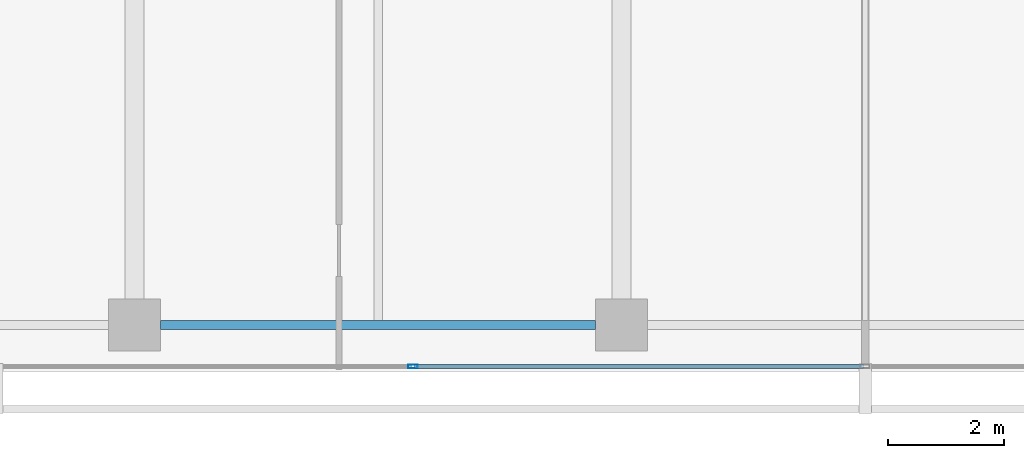
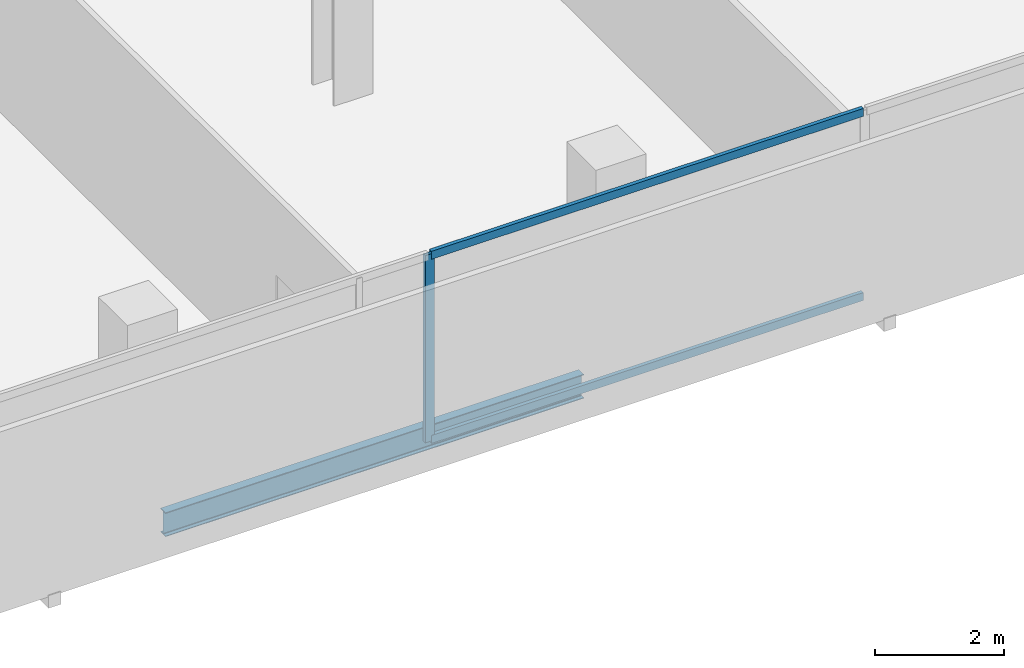
# One storey, part 7 of 39: 3 members, 1 beam, 1 element without a shape of its own.
"""IFC4 building model written with IfcOpenShell, lengths in metres."""

import ifcopenshell
import ifcopenshell.guid

model = None  # the IFC model being written
_history = None  # IfcOwnerHistory: only IFC2X3 demands one
_inside = {}  # id of a spatial element -> (the spatial element, [elements in it])
_under = {}  # id of a project, library or spatial element -> (it, [spatial elements below it])
_declared = {}  # id of a project -> (the project, [libraries it declares])
_typed = {}  # id of a type object -> (the type object, [elements of that type])
_made_of = {}  # id of a material, layer set ... -> (it, [elements and type objects made of it])


def new_model(schema):
    """Start an empty IFC model of exactly this schema.

    Asked for "IFC4X3", IfcOpenShell would pick the latest addendum, in which some entities
    have other attributes; the version numbers below select the first issue.
    IFC2X3 requires an IfcOwnerHistory on every rooted entity: one is made here for all.
    """
    global model, _history
    if schema == "IFC4X3":
        model = ifcopenshell.file(schema_version=(4, 3, 0, 0))
    else:
        model = ifcopenshell.file(schema=schema)
    _inside.clear()
    _under.clear()
    _declared.clear()
    _typed.clear()
    _made_of.clear()
    _history = None
    if model.schema == "IFC2X3":
        org = make("IfcOrganization", Name="unknown")
        user = make(
            "IfcPersonAndOrganization",
            ThePerson=make("IfcPerson", FamilyName="unknown"),
            TheOrganization=org,
        )
        app = make(
            "IfcApplication",
            ApplicationDeveloper=org,
            Version="unknown",
            ApplicationFullName="unknown",
            ApplicationIdentifier="unknown",
        )
        _history = make(
            "IfcOwnerHistory",
            OwningUser=user,
            OwningApplication=app,
            ChangeAction="ADDED",
            CreationDate=0,
        )
    return model


def make(cls, **values):
    """One entity of the class cls with the attributes given. An attribute that is None is left unset."""
    return model.create_entity(
        cls, **{name: value for name, value in values.items() if value is not None}
    )


def rooted(cls, **values):
    """An entity with a GlobalId (a new one), such as an element, a storey or a relation."""
    return make(cls, GlobalId=ifcopenshell.guid.new(), OwnerHistory=_history, **values)


def si_unit(unit_type, name, prefix=None):
    """IfcSIUnit, for example si_unit("LENGTHUNIT", "METRE", prefix="MILLI")."""
    return make("IfcSIUnit", UnitType=unit_type, Prefix=prefix, Name=name)


def assignment(units):
    """IfcUnitAssignment: the units of a project."""
    return None if units is None else make("IfcUnitAssignment", Units=units)


def point(xyz):
    """IfcCartesianPoint."""
    return None if xyz is None else make("IfcCartesianPoint", Coordinates=xyz)


def direction(xyz):
    """IfcDirection."""
    return None if xyz is None else make("IfcDirection", DirectionRatios=xyz)


def frame(location, z_axis=None, x_axis=None):
    """IfcAxis2Placement3D, a coordinate frame: its origin and axes. An axis left out is left unset."""
    return make(
        "IfcAxis2Placement3D",
        Location=point(location),
        Axis=direction(z_axis),
        RefDirection=direction(x_axis),
    )


def frame_2d(location, x_axis=None):
    """IfcAxis2Placement2D, a coordinate frame in the plane: its origin and x axis."""
    return make(
        "IfcAxis2Placement2D", Location=point(location), RefDirection=direction(x_axis)
    )


def origin():
    """The frame at (0, 0, 0) with its axes left unset."""
    return frame((0.0, 0.0, 0.0))


def origin_2d():
    """The frame at (0, 0) in the plane with its x axis left unset."""
    return frame_2d((0.0, 0.0))


def place(relative_to, where):
    """IfcLocalPlacement: puts the frame where relative to a parent placement (None: the world)."""
    return make(
        "IfcLocalPlacement", PlacementRelTo=relative_to, RelativePlacement=where
    )


def context(
    kind, dimensions, precision=None, world=None, true_north=None, identifier=None
):
    """IfcGeometricRepresentationContext, for example the 3D "Model" context."""
    return make(
        "IfcGeometricRepresentationContext",
        ContextIdentifier=identifier,
        ContextType=kind,
        CoordinateSpaceDimension=dimensions,
        Precision=precision,
        WorldCoordinateSystem=world,
        TrueNorth=true_north,
    )


def subcontext(parent, identifier, kind, view, scale=None):
    """IfcGeometricRepresentationSubContext, for example "Body" below "Model"."""
    return make(
        "IfcGeometricRepresentationSubContext",
        ContextIdentifier=identifier,
        ContextType=kind,
        ParentContext=parent,
        TargetScale=scale,
        TargetView=view,
    )


def project(units=None, contexts=None):
    """IfcProject with its units and contexts."""
    return rooted(
        "IfcProject",
        Name="project",
        RepresentationContexts=contexts,
        UnitsInContext=assignment(units),
    )


def spatial(cls, under=None, at=None, **own):
    """A site, building, storey or space (cls), placed at a placement, below another one or the project."""
    s = rooted(cls, ObjectPlacement=at, **own)
    if under is not None:
        _under.setdefault(under.id(), (under, []))[1].append(s)
    return s


def profile(cls, at=None, kind="AREA", **sizes):
    """A parametric profile (cls). Its sizes go by their IFC names, for example OverallWidth=200.0."""
    return make(cls, ProfileType=kind, Position=at, **sizes)


def hollow_rectangle(**sizes):
    """IfcRectangleHollowProfileDef."""
    return profile("IfcRectangleHollowProfileDef", **sizes)


def i_section(**sizes):
    """IfcIShapeProfileDef."""
    return profile("IfcIShapeProfileDef", **sizes)


def extrude(swept, where, along, depth):
    """IfcExtrudedAreaSolid: the profile swept, set in the frame where, extruded along a direction by depth."""
    return make(
        "IfcExtrudedAreaSolid",
        SweptArea=swept,
        Position=where,
        ExtrudedDirection=direction(along),
        Depth=depth,
    )


def shape(context_of_items, identifier, shape_type, items):
    """IfcShapeRepresentation: the items that make up one representation, for example the "Body"."""
    return make(
        "IfcShapeRepresentation",
        ContextOfItems=context_of_items,
        RepresentationIdentifier=identifier,
        RepresentationType=shape_type,
        Items=items,
    )


def material(Name=None, Category=None):
    """IfcMaterial."""
    return make("IfcMaterial", Name=Name, Category=Category)


def layer(
    of_material, thickness, ventilated=None, Name=None, Category=None, Priority=None
):
    """IfcMaterialLayer: one layer of a wall or slab, of a material (None: an air gap)."""
    return make(
        "IfcMaterialLayer",
        Material=of_material,
        LayerThickness=thickness,
        IsVentilated=ventilated,
        Name=Name,
        Category=Category,
        Priority=Priority,
    )


def layer_set(layers, Name=None):
    """IfcMaterialLayerSet."""
    return make("IfcMaterialLayerSet", MaterialLayers=layers, LayerSetName=Name)


def material_profile(
    of_material, cross_section, Name=None, Category=None, Priority=None
):
    """IfcMaterialProfile: a cross section and its material."""
    return make(
        "IfcMaterialProfile",
        Name=Name,
        Material=of_material,
        Profile=cross_section,
        Priority=Priority,
        Category=Category,
    )


def profile_set(profiles, Name=None, composite=None):
    """IfcMaterialProfileSet."""
    return make(
        "IfcMaterialProfileSet",
        Name=Name,
        MaterialProfiles=profiles,
        CompositeProfile=composite,
    )


def made_of(thing, what):
    """Note that an element or type object is made of a material, layer set ...; save() writes the relation."""
    if what is not None:
        _made_of.setdefault(what.id(), (what, []))[1].append(thing)
    return thing


def type_object(cls, material=None, **own):
    """A type object (cls), such as IfcWallType, which elements share."""
    return made_of(rooted(cls, **own), material)


def element(
    cls,
    number,
    at=None,
    inside=None,
    cuts=None,
    type_object=None,
    material=None,
    context=None,
    identifier="Body",
    shape_type=None,
    held_by="IfcProductDefinitionShape",
    body=None,
    shapes=None,
    **own,
):
    """One element of the class cls, such as IfcWall. Its Tag is "e" and its number.

    at: its placement. inside: the storey or other place that contains it. cuts: it is an
    opening in that element (IfcRelVoidsElement). A single representation is given by context,
    identifier, shape_type and body (its items); several are given by shapes. held_by: the class
    of the entity that holds the representations. save() writes the other relations.
    """
    e = rooted(cls, Tag="e%d" % number, ObjectPlacement=at, **own)
    if body is not None:
        shapes = [shape(context, identifier, shape_type, body)]
    if shapes is not None:
        e.Representation = make(held_by, Representations=shapes)
    if inside is not None:
        _inside.setdefault(inside.id(), (inside, []))[1].append(e)
    if cuts is not None:
        rooted(
            "IfcRelVoidsElement", RelatingBuildingElement=cuts, RelatedOpeningElement=e
        )
    if type_object is not None:
        _typed.setdefault(type_object.id(), (type_object, []))[1].append(e)
    return made_of(e, material)


def aggregate(whole, parts):
    """IfcRelAggregates: a whole, such as a stair, and the parts it consists of."""
    return rooted("IfcRelAggregates", RelatingObject=whole, RelatedObjects=parts)


def save(model, path):
    """Write the relations noted so far, then the file.

    IfcRelAggregates (storeys below a building ...), IfcRelContainedInSpatialStructure (elements
    in a storey), IfcRelDefinesByType, IfcRelAssociatesMaterial and IfcRelDeclares: one each for
    every whole, place, type object, material and project.
    """
    for whole, parts in _under.values():
        aggregate(whole, parts)
    for where, things in _inside.values():
        rooted(
            "IfcRelContainedInSpatialStructure",
            RelatedElements=things,
            RelatingStructure=where,
        )
    for kind, things in _typed.values():
        rooted("IfcRelDefinesByType", RelatedObjects=things, RelatingType=kind)
    for what, things in _made_of.values():
        rooted("IfcRelAssociatesMaterial", RelatedObjects=things, RelatingMaterial=what)
    for by, libraries in _declared.values():
        rooted("IfcRelDeclares", RelatingContext=by, RelatedDefinitions=libraries)
    model.write(path)


model = new_model("IFC4")

# Units and contexts
model_context = context("Model", 3, precision=1e-05, world=origin(), true_north=direction((0.0, 1.0)))
body_context = subcontext(model_context, "Body", "Model", "MODEL_VIEW")
ifc_project = project(units=[si_unit("LENGTHUNIT", "METRE"), si_unit("AREAUNIT", "SQUARE_METRE"), si_unit("VOLUMEUNIT", "CUBIC_METRE"), si_unit("PLANEANGLEUNIT", "RADIAN"), si_unit("MASSUNIT", "GRAM", prefix="KILO")], contexts=[model_context])

# Site, building, storey
site_placement = place(None, origin())
site = spatial("IfcSite", under=ifc_project, at=site_placement, CompositionType="ELEMENT")
building_placement = place(site_placement, origin())
building = spatial("IfcBuilding", under=site, at=building_placement, Name="Maruvema Waterfront Hotel and Observation Tower", CompositionType="ELEMENT")
storey_placement = place(building_placement, frame((0.0, 0.0, 111.64990234375)))
storey = spatial("IfcBuildingStorey", under=building, at=storey_placement, Name="L27", CompositionType="ELEMENT", Elevation=111.64990234375)

# Curtain wall, members
ifc_material_1 = material(Name="Anodised bronze aluminium and solar-control low-E IGU", Category="aluminium")
ifc_layer = layer(ifc_material_1, 0.159912109375, Name="Zone 1 Bronze Inner Thermal Curtain Wall System CW-02")
ifc_layer_set = layer_set([ifc_layer], Name="Anodised bronze aluminium and solar-control low-E IGU")
curtain_wall_type = type_object("IfcCurtainWallType", Name="Zone 1 Bronze Inner Thermal Curtain Wall System CW-02", PredefinedType="USERDEFINED", material=ifc_layer_set)
curtain_wall_placement = place(storey_placement, origin())
curtain_wall = element("IfcCurtainWall", 1, at=curtain_wall_placement, inside=storey, type_object=curtain_wall_type, Name="L27 Curtain Wall CW-L27-S", ObjectType="UNITISED CURTAIN WALL", PredefinedType="USERDEFINED")
ifc_material_2 = material(Name="Anodised architectural bronze aluminium", Category="aluminium")
ifc_material_profile_1 = material_profile(ifc_material_2, hollow_rectangle(XDim=0.070068359375, YDim=0.14990234375, WallThickness=0.00390625, at=origin_2d()), Name="ALU-T70x150")
ifc_profile_set_1 = profile_set([ifc_material_profile_1], Name="Anodised architectural bronze aluminium")
member_type_1 = type_object("IfcMemberType", Name="Curtain Wall Horizontal Transom ALU-T70x150", PredefinedType="USERDEFINED", material=ifc_profile_set_1)
member_1_placement = place(storey_placement, frame((30.030029296875, 0.080078125, 0.030029296875), z_axis=(1.0, 0.0, 0.0), x_axis=(0.0, 1.0, 0.0)))
member_1 = element("IfcMember", 2, at=member_1_placement, type_object=member_type_1, Name="CW-02 transom 3.1", ObjectType="TRANSOM", PredefinedType="USERDEFINED", context=body_context, shape_type="SweptSolid", body=[
    extrude(hollow_rectangle(XDim=0.070068359375, YDim=0.14990234375, WallThickness=0.00390625, at=origin_2d()), origin(), (0.0, 0.0, 1.0), 7.739990234375),
])
member_2_placement = place(storey_placement, frame((30.030029296875, 0.080078125, 3.52001953125), z_axis=(1.0, 0.0, 0.0), x_axis=(0.0, 1.0, 0.0)))
member_2 = element("IfcMember", 3, at=member_2_placement, type_object=member_type_1, Name="CW-02 transom 3.2", ObjectType="TRANSOM", PredefinedType="USERDEFINED", context=body_context, shape_type="SweptSolid", body=[
    extrude(hollow_rectangle(XDim=0.070068359375, YDim=0.14990234375, WallThickness=0.00390625, at=origin_2d()), origin(), (0.0, 0.0, 1.0), 7.739990234375),
])
ifc_material_3 = material(Name="Anodised architectural bronze aluminium", Category="aluminium")
ifc_material_profile_2 = material_profile(ifc_material_3, hollow_rectangle(XDim=0.06494140625, YDim=0.1650390625, WallThickness=0.00390625, at=origin_2d()), Name="ALU-M65x165")
ifc_profile_set_2 = profile_set([ifc_material_profile_2], Name="Anodised architectural bronze aluminium")
member_type_2 = type_object("IfcMemberType", Name="Curtain Wall Primary Mullion ALU-M65x165", PredefinedType="MULLION", material=ifc_profile_set_2)
member_3_placement = place(storey_placement, frame((30.0, 0.080078125, 0.0), z_axis=(0.0, 0.0, 1.0), x_axis=(0.0, 1.0, 0.0)))
member_3 = element("IfcMember", 4, at=member_3_placement, type_object=member_type_2, Name="CW-02 mullion 3", PredefinedType="MULLION", context=body_context, shape_type="SweptSolid", body=[
    extrude(hollow_rectangle(XDim=0.06494140625, YDim=0.1650390625, WallThickness=0.00390625, at=origin_2d()), origin(), (0.0, 0.0, 1.0), 3.550048828125),
])
aggregate(curtain_wall, [member_3, member_1, member_2])

# Beam
ifc_material_4 = material(Name="Steel ASTM A572 Grade 50", Category="steel")
ifc_material_profile_3 = material_profile(ifc_material_4, i_section(OverallWidth=0.153076171875, OverallDepth=0.455078125, WebThickness=0.008056640625, FlangeThickness=0.01318359375, FilletRadius=0.014892578125, at=origin_2d()), Name="W460x60.0")
ifc_profile_set_3 = profile_set([ifc_material_profile_3], Name="Steel ASTM A572 Grade 50")
beam_type = type_object("IfcBeamType", Name="Perimeter Spandrel Beam W460x60.0", PredefinedType="SPANDREL", material=ifc_profile_set_3)
beam_placement = place(storey_placement, frame((25.64990234375, 0.800048828125, -0.46728515625), z_axis=(1.0, 0.0, 0.0), x_axis=(0.0, 1.0, 0.0)))
element("IfcBeam", 5, at=beam_placement, inside=storey, type_object=beam_type, Name="L27 Floor Girder EW-02", PredefinedType="SPANDREL", context=body_context, shape_type="SweptSolid", body=[
    extrude(i_section(OverallWidth=0.153076171875, OverallDepth=0.455078125, WebThickness=0.008056640625, FlangeThickness=0.01318359375, FilletRadius=0.014892578125, at=origin_2d()), origin(), (0.0, 0.0, 1.0), 7.5),
])

save(model, "model.ifc")
